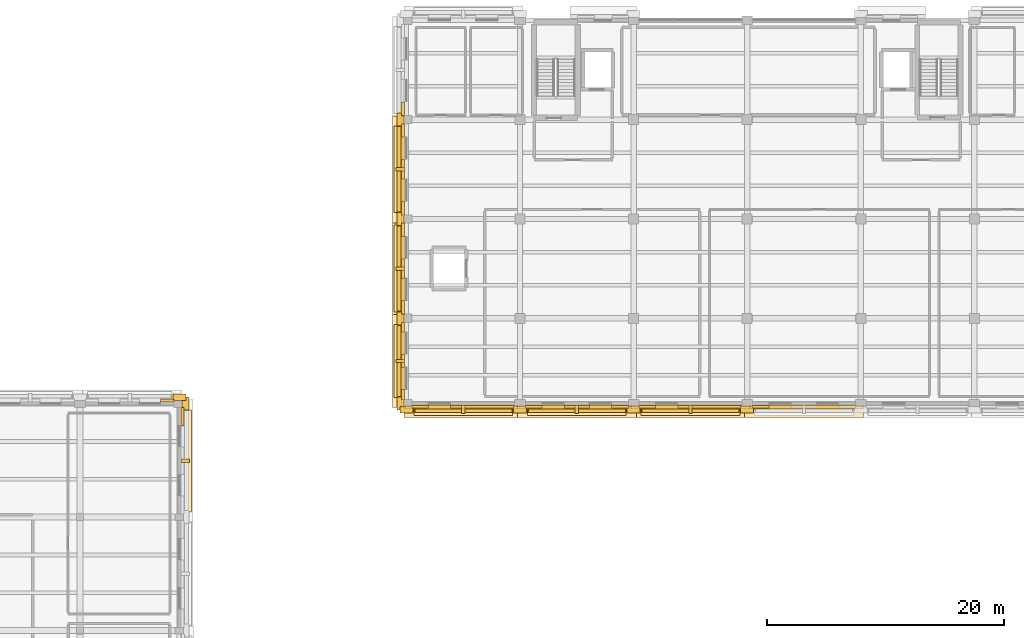
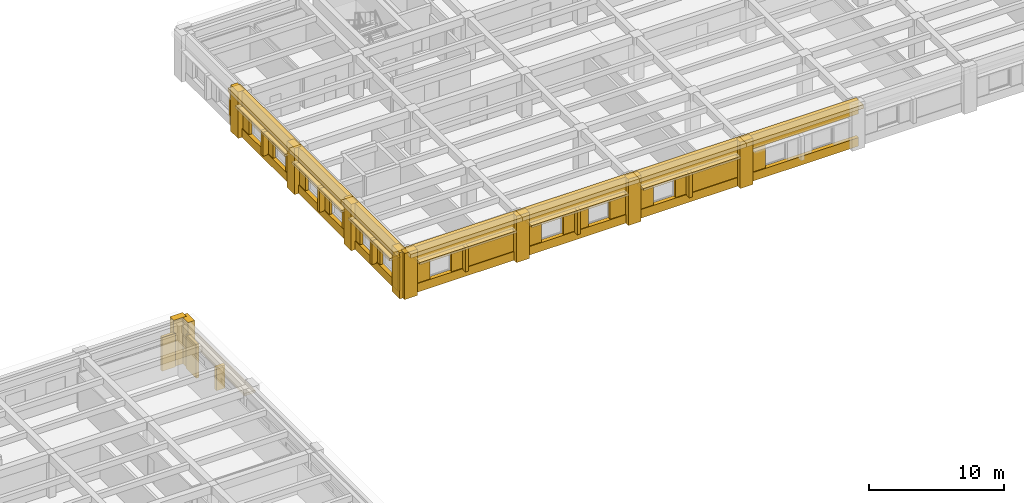
# One storey, part 14 of 17: 65 coverings, 6 shading devices.
"""IFC4 building model written with IfcOpenShell, lengths in metres."""

from ifc_helpers import new_model, si_unit, direction, frame, origin, origin_2d, place, context, subcontext, project, spatial, rectangle, extrude, material, layer, layer_set, type_object, element, save


model = new_model("IFC4")

# Units and contexts
model_context = context("Model", 3, precision=1e-05, world=origin(), true_north=direction((0.0, 1.0)))
body_context = subcontext(model_context, "Body", "Model", "MODEL_VIEW")
ifc_project = project(units=[si_unit("LENGTHUNIT", "METRE"), si_unit("AREAUNIT", "SQUARE_METRE"), si_unit("VOLUMEUNIT", "CUBIC_METRE"), si_unit("PLANEANGLEUNIT", "RADIAN"), si_unit("MASSUNIT", "GRAM", prefix="KILO")], contexts=[model_context])

# Site, building, storey
site_placement = place(None, origin())
site = spatial("IfcSite", under=ifc_project, at=site_placement, CompositionType="ELEMENT")
building_placement = place(site_placement, origin())
building = spatial("IfcBuilding", under=site, at=building_placement, Name="Bempovik Park Faculty of Sciences", CompositionType="ELEMENT")
storey_placement = place(building_placement, frame((0.0, 0.0, 22.5)))
storey = spatial("IfcBuildingStorey", under=building, at=storey_placement, Name="L05", CompositionType="ELEMENT", Elevation=22.5)

# Coverings
ifc_material_1 = material(Name="Precast concrete C40/50", Category="concrete")
ifc_layer_1 = layer(ifc_material_1, 0.179931640625)
ifc_layer_set_1 = layer_set([ifc_layer_1], Name="Precast concrete C40/50")
covering_type_1 = type_object("IfcCoveringType", Name="CL-02 Classical Cornice Band 180mm", PredefinedType="CLADDING", material=ifc_layer_set_1)
covering_1_placement = place(storey_placement, frame((41.3701171875, 82.159912109375, 2.81005859375), z_axis=(0.0, 0.0, 1.0), x_axis=(1.0, 0.0, 0.0)))
element("IfcCovering", 1, at=covering_1_placement, inside=storey, type_object=covering_type_1, Name="L05 Classical Stone Solar Window Hood EW-L05-10039", PredefinedType="CLADDING", context=body_context, shape_type="SweptSolid", body=[
    extrude(rectangle(XDim=0.919921875, YDim=8.6259765625, at=origin_2d()), origin(), (0.0, 0.0, 1.0), 0.219970703125),
])
covering_2_placement = place(storey_placement, frame((59.3349609375, 90.60009765625, 3.83984375), z_axis=(0.0, 0.0, 1.0), x_axis=(1.0, 0.0, 0.0)))
element("IfcCovering", 2, at=covering_2_placement, inside=storey, type_object=covering_type_1, Name="L05 Classical Projecting Dentil Cornice EW-L05-10092", PredefinedType="CLADDING", context=body_context, shape_type="SweptSolid", body=[
    extrude(rectangle(XDim=1.050048828125, YDim=7.845947265625, at=origin_2d()), origin(), (0.0, 0.0, 1.0), 0.360107421875),
])
covering_3_placement = place(storey_placement, frame((59.39990234375, 90.60009765625, 2.85986328125), z_axis=(0.0, 0.0, 1.0), x_axis=(1.0, 0.0, 0.0)))
element("IfcCovering", 3, at=covering_3_placement, inside=storey, type_object=covering_type_1, Name="L05 Classical Stone Solar Window Hood EW-L05-10092", PredefinedType="CLADDING", context=body_context, shape_type="SweptSolid", body=[
    extrude(rectangle(XDim=0.919921875, YDim=6.14599609375, at=origin_2d()), origin(), (0.0, 0.0, 1.0), 0.219970703125),
])
covering_4_placement = place(storey_placement, frame((59.3349609375, 98.39990234375, 3.83984375), z_axis=(0.0, 0.0, 1.0), x_axis=(1.0, 0.0, 0.0)))
element("IfcCovering", 4, at=covering_4_placement, inside=storey, type_object=covering_type_1, Name="L05 Classical Projecting Dentil Cornice EW-L05-10106", PredefinedType="CLADDING", context=body_context, shape_type="SweptSolid", body=[
    extrude(rectangle(XDim=1.050048828125, YDim=9.0458984375, at=origin_2d()), origin(), (0.0, 0.0, 1.0), 0.360107421875),
])
covering_5_placement = place(storey_placement, frame((59.39990234375, 98.39990234375, 2.85986328125), z_axis=(0.0, 0.0, 1.0), x_axis=(1.0, 0.0, 0.0)))
element("IfcCovering", 5, at=covering_5_placement, inside=storey, type_object=covering_type_1, Name="L05 Classical Stone Solar Window Hood EW-L05-10106", PredefinedType="CLADDING", context=body_context, shape_type="SweptSolid", body=[
    extrude(rectangle(XDim=0.919921875, YDim=7.345947265625, at=origin_2d()), origin(), (0.0, 0.0, 1.0), 0.219970703125),
])
covering_6_placement = place(storey_placement, frame((59.3349609375, 106.800048828125, 3.83984375), z_axis=(0.0, 0.0, 1.0), x_axis=(1.0, 0.0, 0.0)))
element("IfcCovering", 6, at=covering_6_placement, inside=storey, type_object=covering_type_1, Name="L05 Classical Projecting Dentil Cornice EW-L05-10119", PredefinedType="CLADDING", context=body_context, shape_type="SweptSolid", body=[
    extrude(rectangle(XDim=1.050048828125, YDim=9.0458984375, at=origin_2d()), origin(), (0.0, 0.0, 1.0), 0.360107421875),
])
covering_7_placement = place(storey_placement, frame((59.39990234375, 106.800048828125, 2.85986328125), z_axis=(0.0, 0.0, 1.0), x_axis=(1.0, 0.0, 0.0)))
element("IfcCovering", 7, at=covering_7_placement, inside=storey, type_object=covering_type_1, Name="L05 Classical Stone Solar Window Hood EW-L05-10119", PredefinedType="CLADDING", context=body_context, shape_type="SweptSolid", body=[
    extrude(rectangle(XDim=0.919921875, YDim=7.345947265625, at=origin_2d()), origin(), (0.0, 0.0, 1.0), 0.219970703125),
])
covering_8_placement = place(storey_placement, frame((64.800048828125, 86.364990234375, 3.83984375), z_axis=(0.0, 0.0, 1.0), x_axis=(1.0, 0.0, 0.0)))
element("IfcCovering", 8, at=covering_8_placement, inside=storey, type_object=covering_type_1, Name="L05 Classical Projecting Dentil Cornice EW-L05-10274", PredefinedType="CLADDING", context=body_context, shape_type="SweptSolid", body=[
    extrude(rectangle(XDim=10.0458984375, YDim=1.050048828125, at=origin_2d()), origin(), (0.0, 0.0, 1.0), 0.360107421875),
])
covering_9_placement = place(storey_placement, frame((64.800048828125, 86.429931640625, 2.85986328125), z_axis=(0.0, 0.0, 1.0), x_axis=(1.0, 0.0, 0.0)))
element("IfcCovering", 9, at=covering_9_placement, inside=storey, type_object=covering_type_1, Name="L05 Classical Stone Solar Window Hood EW-L05-10274", PredefinedType="CLADDING", context=body_context, shape_type="SweptSolid", body=[
    extrude(rectangle(XDim=8.345947265625, YDim=0.919921875, at=origin_2d()), origin(), (0.0, 0.0, 1.0), 0.219970703125),
])
covering_10_placement = place(storey_placement, frame((74.39990234375, 86.364990234375, 3.83984375), z_axis=(0.0, 0.0, 1.0), x_axis=(1.0, 0.0, 0.0)))
element("IfcCovering", 10, at=covering_10_placement, inside=storey, type_object=covering_type_1, Name="L05 Classical Projecting Dentil Cornice EW-L05-10286", PredefinedType="CLADDING", context=body_context, shape_type="SweptSolid", body=[
    extrude(rectangle(XDim=10.0458984375, YDim=1.050048828125, at=origin_2d()), origin(), (0.0, 0.0, 1.0), 0.360107421875),
])
covering_11_placement = place(storey_placement, frame((74.39990234375, 86.429931640625, 2.85986328125), z_axis=(0.0, 0.0, 1.0), x_axis=(1.0, 0.0, 0.0)))
element("IfcCovering", 11, at=covering_11_placement, inside=storey, type_object=covering_type_1, Name="L05 Classical Stone Solar Window Hood EW-L05-10286", PredefinedType="CLADDING", context=body_context, shape_type="SweptSolid", body=[
    extrude(rectangle(XDim=8.345947265625, YDim=0.919921875, at=origin_2d()), origin(), (0.0, 0.0, 1.0), 0.219970703125),
])
covering_12_placement = place(storey_placement, frame((84.0, 86.364990234375, 3.83984375), z_axis=(0.0, 0.0, 1.0), x_axis=(1.0, 0.0, 0.0)))
element("IfcCovering", 12, at=covering_12_placement, inside=storey, type_object=covering_type_1, Name="L05 Classical Projecting Dentil Cornice EW-L05-10299", PredefinedType="CLADDING", context=body_context, shape_type="SweptSolid", body=[
    extrude(rectangle(XDim=10.0458984375, YDim=1.050048828125, at=origin_2d()), origin(), (0.0, 0.0, 1.0), 0.360107421875),
])
covering_13_placement = place(storey_placement, frame((84.0, 86.429931640625, 2.85986328125), z_axis=(0.0, 0.0, 1.0), x_axis=(1.0, 0.0, 0.0)))
element("IfcCovering", 13, at=covering_13_placement, inside=storey, type_object=covering_type_1, Name="L05 Classical Stone Solar Window Hood EW-L05-10299", PredefinedType="CLADDING", context=body_context, shape_type="SweptSolid", body=[
    extrude(rectangle(XDim=8.345947265625, YDim=0.919921875, at=origin_2d()), origin(), (0.0, 0.0, 1.0), 0.219970703125),
])
covering_14_placement = place(storey_placement, frame((93.60009765625, 86.364990234375, 3.83984375), z_axis=(0.0, 0.0, 1.0), x_axis=(1.0, 0.0, 0.0)))
element("IfcCovering", 14, at=covering_14_placement, inside=storey, type_object=covering_type_1, Name="L05 Classical Projecting Dentil Cornice EW-L05-10310", PredefinedType="CLADDING", context=body_context, shape_type="SweptSolid", body=[
    extrude(rectangle(XDim=10.0458984375, YDim=1.050048828125, at=origin_2d()), origin(), (0.0, 0.0, 1.0), 0.360107421875),
])
ifc_material_2 = material(Name="White reconstituted limestone precast C40/50", Category="masonry")
ifc_layer_2 = layer(ifc_material_2, 0.239990234375)
ifc_layer_set_2 = layer_set([ifc_layer_2], Name="White reconstituted limestone precast C40/50")
covering_type_2 = type_object("IfcCoveringType", Name="CL-03 Classical Fluted Limestone Pilaster 240mm", PredefinedType="CLADDING", material=ifc_layer_set_2)
covering_15_placement = place(storey_placement, frame((40.800048828125, 87.530029296875, 0.0), z_axis=(0.0, 0.0, 1.0), x_axis=(1.0, 0.0, 0.0)))
element("IfcCovering", 15, at=covering_15_placement, inside=storey, type_object=covering_type_2, Name="L05 Classical Fluted Stone Pilaster PIL-BA-L05-408-875", PredefinedType="CLADDING", context=body_context, shape_type="SweptSolid", body=[
    extrude(rectangle(XDim=1.10009765625, YDim=0.580078125, at=origin_2d()), origin(), (0.0, 0.0, 1.0), 4.199951171875),
])
covering_16_placement = place(storey_placement, frame((39.781005859375, 87.27001953125, 0.0), z_axis=(0.0, 0.0, 1.0), x_axis=(1.0, 0.0, 0.0)))
element("IfcCovering", 16, at=covering_16_placement, inside=storey, type_object=covering_type_2, Name="L05 White Limestone Wall Cheek EW-L05-9986-4", PredefinedType="CLADDING", context=body_context, shape_type="SweptSolid", body=[
    extrude(rectangle(XDim=1.1337890625, YDim=0.239990234375, at=origin_2d()), origin(), (0.0, 0.0, 1.0), 3.080078125),
])
covering_17_placement = place(storey_placement, frame((41.330078125, 87.0, 0.0), z_axis=(0.0, 0.0, 1.0), x_axis=(1.0, 0.0, 0.0)))
element("IfcCovering", 17, at=covering_17_placement, inside=storey, type_object=covering_type_2, Name="L05 Classical Fluted Stone Pilaster PIL-BA-L05-413-870", PredefinedType="CLADDING", context=body_context, shape_type="SweptSolid", body=[
    extrude(rectangle(XDim=0.580078125, YDim=1.10009765625, at=origin_2d()), origin(), (0.0, 0.0, 1.0), 4.199951171875),
])
covering_18_placement = place(storey_placement, frame((41.070068359375, 85.881103515625, 0.0), z_axis=(0.0, 0.0, 1.0), x_axis=(1.0, 0.0, 0.0)))
element("IfcCovering", 18, at=covering_18_placement, inside=storey, type_object=covering_type_2, Name="L05 White Limestone Wall Cheek EW-L05-10039-4", PredefinedType="CLADDING", context=body_context, shape_type="SweptSolid", body=[
    extrude(rectangle(XDim=0.239990234375, YDim=1.533447265625, at=origin_2d()), origin(), (0.0, 0.0, 1.0), 3.080078125),
])
covering_19_placement = place(storey_placement, frame((41.280029296875, 82.159912109375, 0.75), z_axis=(0.0, 0.0, 1.0), x_axis=(1.0, 0.0, 0.0)))
element("IfcCovering", 19, at=covering_19_placement, inside=storey, type_object=covering_type_2, Name="L05 Classical Vertical Stone Shading Fin EW-L05-10039", PredefinedType="CLADDING", context=body_context, shape_type="SweptSolid", body=[
    extrude(rectangle(XDim=0.719970703125, YDim=0.280029296875, at=origin_2d()), origin(), (0.0, 0.0, 1.0), 2.10009765625),
])
covering_20_placement = place(storey_placement, frame((59.68994140625, 90.60009765625, 2.919921875), z_axis=(0.0, 0.0, 1.0), x_axis=(1.0, 0.0, 0.0)))
element("IfcCovering", 20, at=covering_20_placement, inside=storey, type_object=covering_type_2, Name="L05 Classical Limestone Spandrel Entablature EW-L05-10092", PredefinedType="CLADDING", context=body_context, shape_type="SweptSolid", body=[
    extrude(rectangle(XDim=0.340087890625, YDim=7.845947265625, at=origin_2d()), origin(), (0.0, 0.0, 1.0), 1.280029296875),
])
covering_21_placement = place(storey_placement, frame((59.68994140625, 90.60009765625, 0.0), z_axis=(0.0, 0.0, 1.0), x_axis=(1.0, 0.0, 0.0)))
element("IfcCovering", 21, at=covering_21_placement, inside=storey, type_object=covering_type_2, Name="L05 Classical Limestone Sill Dado EW-L05-10092", PredefinedType="CLADDING", context=body_context, shape_type="SweptSolid", body=[
    extrude(rectangle(XDim=0.340087890625, YDim=7.845947265625, at=origin_2d()), origin(), (0.0, 0.0, 1.0), 0.780029296875),
])
for number, where, z_axis, x_axis, name in (
    (22, (59.469970703125, 87.0, 0.0), (0.0, 0.0, 1.0), (1.0, 0.0, 0.0), "L05 Classical Fluted Stone Pilaster PIL-BA-L05-595-870"),
    (23, (59.469970703125, 94.199951171875, 0.0), (0.0, 0.0, 1.0), (1.0, 0.0, 0.0), "L05 Classical Fluted Stone Pilaster PIL-BA-L05-595-942"),
):
    element("IfcCovering", number, at=place(storey_placement, frame(where, z_axis=z_axis, x_axis=x_axis)), inside=storey, type_object=covering_type_2, Name=name, PredefinedType="CLADDING", context=body_context, shape_type="SweptSolid", body=[
        extrude(rectangle(XDim=0.580078125, YDim=1.10009765625, at=origin_2d()), origin(), (0.0, 0.0, 1.0), 4.199951171875),
    ])
covering_22_placement = place(storey_placement, frame((59.699951171875, 87.7587890625, 0.0), z_axis=(0.0, 0.0, 1.0), x_axis=(1.0, 0.0, 0.0)))
element("IfcCovering", 24, at=covering_22_placement, inside=storey, type_object=covering_type_2, Name="L05 White Limestone Wall Cheek EW-L05-10092-0", PredefinedType="CLADDING", context=body_context, shape_type="SweptSolid", body=[
    extrude(rectangle(XDim=0.239990234375, YDim=0.81396484375, at=origin_2d()), origin(), (0.0, 0.0, 1.0), 3.080078125),
])
covering_23_placement = place(storey_placement, frame((59.699951171875, 90.60009765625, 0.0), z_axis=(0.0, 0.0, 1.0), x_axis=(1.0, 0.0, 0.0)))
element("IfcCovering", 25, at=covering_23_placement, inside=storey, type_object=covering_type_2, Name="L05 White Limestone Wall Cheek EW-L05-10092-2", PredefinedType="CLADDING", context=body_context, shape_type="SweptSolid", body=[
    extrude(rectangle(XDim=0.239990234375, YDim=1.108154296875, at=origin_2d()), origin(), (0.0, 0.0, 1.0), 3.080078125),
])
covering_24_placement = place(storey_placement, frame((59.699951171875, 93.441162109375, 0.0), z_axis=(0.0, 0.0, 1.0), x_axis=(1.0, 0.0, 0.0)))
element("IfcCovering", 26, at=covering_24_placement, inside=storey, type_object=covering_type_2, Name="L05 White Limestone Wall Cheek EW-L05-10092-4", PredefinedType="CLADDING", context=body_context, shape_type="SweptSolid", body=[
    extrude(rectangle(XDim=0.239990234375, YDim=0.81396484375, at=origin_2d()), origin(), (0.0, 0.0, 1.0), 3.080078125),
])
covering_25_placement = place(storey_placement, frame((59.489990234375, 90.60009765625, 0.7001953125), z_axis=(0.0, 0.0, 1.0), x_axis=(1.0, 0.0, 0.0)))
element("IfcCovering", 27, at=covering_25_placement, inside=storey, type_object=covering_type_2, Name="L05 Classical Vertical Stone Shading Fin EW-L05-10092", PredefinedType="CLADDING", context=body_context, shape_type="SweptSolid", body=[
    extrude(rectangle(XDim=0.719970703125, YDim=0.280029296875, at=origin_2d()), origin(), (0.0, 0.0, 1.0), 2.199951171875),
])
covering_26_placement = place(storey_placement, frame((59.68994140625, 98.39990234375, 2.919921875), z_axis=(0.0, 0.0, 1.0), x_axis=(1.0, 0.0, 0.0)))
element("IfcCovering", 28, at=covering_26_placement, inside=storey, type_object=covering_type_2, Name="L05 Classical Limestone Spandrel Entablature EW-L05-10106", PredefinedType="CLADDING", context=body_context, shape_type="SweptSolid", body=[
    extrude(rectangle(XDim=0.340087890625, YDim=9.0458984375, at=origin_2d()), origin(), (0.0, 0.0, 1.0), 1.280029296875),
])
covering_27_placement = place(storey_placement, frame((59.68994140625, 98.39990234375, 0.0), z_axis=(0.0, 0.0, 1.0), x_axis=(1.0, 0.0, 0.0)))
element("IfcCovering", 29, at=covering_27_placement, inside=storey, type_object=covering_type_2, Name="L05 Classical Limestone Sill Dado EW-L05-10106", PredefinedType="CLADDING", context=body_context, shape_type="SweptSolid", body=[
    extrude(rectangle(XDim=0.340087890625, YDim=9.0458984375, at=origin_2d()), origin(), (0.0, 0.0, 1.0), 0.780029296875),
])
covering_28_placement = place(storey_placement, frame((59.469970703125, 102.60009765625, 0.0), z_axis=(0.0, 0.0, 1.0), x_axis=(1.0, 0.0, 0.0)))
element("IfcCovering", 30, at=covering_28_placement, inside=storey, type_object=covering_type_2, Name="L05 Classical Fluted Stone Pilaster PIL-BA-L05-595-1026", PredefinedType="CLADDING", context=body_context, shape_type="SweptSolid", body=[
    extrude(rectangle(XDim=0.580078125, YDim=1.10009765625, at=origin_2d()), origin(), (0.0, 0.0, 1.0), 4.199951171875),
])
covering_29_placement = place(storey_placement, frame((59.699951171875, 95.12109375, 0.0), z_axis=(0.0, 0.0, 1.0), x_axis=(1.0, 0.0, 0.0)))
element("IfcCovering", 31, at=covering_29_placement, inside=storey, type_object=covering_type_2, Name="L05 White Limestone Wall Cheek EW-L05-10106-0", PredefinedType="CLADDING", context=body_context, shape_type="SweptSolid", body=[
    extrude(rectangle(XDim=0.239990234375, YDim=1.137939453125, at=origin_2d()), origin(), (0.0, 0.0, 1.0), 3.080078125),
])
covering_30_placement = place(storey_placement, frame((59.699951171875, 98.39990234375, 0.0), z_axis=(0.0, 0.0, 1.0), x_axis=(1.0, 0.0, 0.0)))
element("IfcCovering", 32, at=covering_30_placement, inside=storey, type_object=covering_type_2, Name="L05 White Limestone Wall Cheek EW-L05-10106-2", PredefinedType="CLADDING", context=body_context, shape_type="SweptSolid", body=[
    extrude(rectangle(XDim=0.239990234375, YDim=1.66015625, at=origin_2d()), origin(), (0.0, 0.0, 1.0), 3.080078125),
])
covering_31_placement = place(storey_placement, frame((59.699951171875, 101.67919921875, 0.0), z_axis=(0.0, 0.0, 1.0), x_axis=(1.0, 0.0, 0.0)))
element("IfcCovering", 33, at=covering_31_placement, inside=storey, type_object=covering_type_2, Name="L05 White Limestone Wall Cheek EW-L05-10106-4", PredefinedType="CLADDING", context=body_context, shape_type="SweptSolid", body=[
    extrude(rectangle(XDim=0.239990234375, YDim=1.137939453125, at=origin_2d()), origin(), (0.0, 0.0, 1.0), 3.080078125),
])
covering_32_placement = place(storey_placement, frame((59.489990234375, 98.39990234375, 0.7001953125), z_axis=(0.0, 0.0, 1.0), x_axis=(1.0, 0.0, 0.0)))
element("IfcCovering", 34, at=covering_32_placement, inside=storey, type_object=covering_type_2, Name="L05 Classical Vertical Stone Shading Fin EW-L05-10106", PredefinedType="CLADDING", context=body_context, shape_type="SweptSolid", body=[
    extrude(rectangle(XDim=0.719970703125, YDim=0.280029296875, at=origin_2d()), origin(), (0.0, 0.0, 1.0), 2.199951171875),
])
covering_33_placement = place(storey_placement, frame((59.68994140625, 106.800048828125, 2.919921875), z_axis=(0.0, 0.0, 1.0), x_axis=(1.0, 0.0, 0.0)))
element("IfcCovering", 35, at=covering_33_placement, inside=storey, type_object=covering_type_2, Name="L05 Classical Limestone Spandrel Entablature EW-L05-10119", PredefinedType="CLADDING", context=body_context, shape_type="SweptSolid", body=[
    extrude(rectangle(XDim=0.340087890625, YDim=9.0458984375, at=origin_2d()), origin(), (0.0, 0.0, 1.0), 1.280029296875),
])
covering_34_placement = place(storey_placement, frame((59.68994140625, 106.800048828125, 0.0), z_axis=(0.0, 0.0, 1.0), x_axis=(1.0, 0.0, 0.0)))
element("IfcCovering", 36, at=covering_34_placement, inside=storey, type_object=covering_type_2, Name="L05 Classical Limestone Sill Dado EW-L05-10119", PredefinedType="CLADDING", context=body_context, shape_type="SweptSolid", body=[
    extrude(rectangle(XDim=0.340087890625, YDim=9.0458984375, at=origin_2d()), origin(), (0.0, 0.0, 1.0), 0.780029296875),
])
covering_35_placement = place(storey_placement, frame((59.469970703125, 111.0, 0.0), z_axis=(0.0, 0.0, 1.0), x_axis=(1.0, 0.0, 0.0)))
element("IfcCovering", 37, at=covering_35_placement, inside=storey, type_object=covering_type_2, Name="L05 Classical Fluted Stone Pilaster PIL-BA-L05-595-1110", PredefinedType="CLADDING", context=body_context, shape_type="SweptSolid", body=[
    extrude(rectangle(XDim=0.580078125, YDim=1.10009765625, at=origin_2d()), origin(), (0.0, 0.0, 1.0), 4.199951171875),
])
covering_36_placement = place(storey_placement, frame((59.699951171875, 103.52099609375, 0.0), z_axis=(0.0, 0.0, 1.0), x_axis=(1.0, 0.0, 0.0)))
element("IfcCovering", 38, at=covering_36_placement, inside=storey, type_object=covering_type_2, Name="L05 White Limestone Wall Cheek EW-L05-10119-0", PredefinedType="CLADDING", context=body_context, shape_type="SweptSolid", body=[
    extrude(rectangle(XDim=0.239990234375, YDim=1.137939453125, at=origin_2d()), origin(), (0.0, 0.0, 1.0), 3.080078125),
])
covering_37_placement = place(storey_placement, frame((59.699951171875, 106.800048828125, 0.0), z_axis=(0.0, 0.0, 1.0), x_axis=(1.0, 0.0, 0.0)))
element("IfcCovering", 39, at=covering_37_placement, inside=storey, type_object=covering_type_2, Name="L05 White Limestone Wall Cheek EW-L05-10119-2", PredefinedType="CLADDING", context=body_context, shape_type="SweptSolid", body=[
    extrude(rectangle(XDim=0.239990234375, YDim=1.66015625, at=origin_2d()), origin(), (0.0, 0.0, 1.0), 3.080078125),
])
covering_38_placement = place(storey_placement, frame((59.699951171875, 110.0791015625, 0.0), z_axis=(0.0, 0.0, 1.0), x_axis=(1.0, 0.0, 0.0)))
element("IfcCovering", 40, at=covering_38_placement, inside=storey, type_object=covering_type_2, Name="L05 White Limestone Wall Cheek EW-L05-10119-4", PredefinedType="CLADDING", context=body_context, shape_type="SweptSolid", body=[
    extrude(rectangle(XDim=0.239990234375, YDim=1.137939453125, at=origin_2d()), origin(), (0.0, 0.0, 1.0), 3.080078125),
])
covering_39_placement = place(storey_placement, frame((59.489990234375, 106.800048828125, 0.7001953125), z_axis=(0.0, 0.0, 1.0), x_axis=(1.0, 0.0, 0.0)))
element("IfcCovering", 41, at=covering_39_placement, inside=storey, type_object=covering_type_2, Name="L05 Classical Vertical Stone Shading Fin EW-L05-10119", PredefinedType="CLADDING", context=body_context, shape_type="SweptSolid", body=[
    extrude(rectangle(XDim=0.719970703125, YDim=0.280029296875, at=origin_2d()), origin(), (0.0, 0.0, 1.0), 2.199951171875),
])
covering_40_placement = place(storey_placement, frame((59.699951171875, 111.9208984375, 0.0), z_axis=(0.0, 0.0, 1.0), x_axis=(1.0, 0.0, 0.0)))
element("IfcCovering", 42, at=covering_40_placement, inside=storey, type_object=covering_type_2, Name="L05 White Limestone Wall Cheek EW-L05-10132-0", PredefinedType="CLADDING", context=body_context, shape_type="SweptSolid", body=[
    extrude(rectangle(XDim=0.239990234375, YDim=1.137939453125, at=origin_2d()), origin(), (0.0, 0.0, 1.0), 3.080078125),
])
covering_41_placement = place(storey_placement, frame((64.800048828125, 86.719970703125, 2.919921875), z_axis=(0.0, 0.0, 1.0), x_axis=(1.0, 0.0, 0.0)))
element("IfcCovering", 43, at=covering_41_placement, inside=storey, type_object=covering_type_2, Name="L05 Classical Limestone Spandrel Entablature EW-L05-10274", PredefinedType="CLADDING", context=body_context, shape_type="SweptSolid", body=[
    extrude(rectangle(XDim=10.0458984375, YDim=0.340087890625, at=origin_2d()), origin(), (0.0, 0.0, 1.0), 1.280029296875),
])
covering_42_placement = place(storey_placement, frame((64.800048828125, 86.719970703125, 0.0), z_axis=(0.0, 0.0, 1.0), x_axis=(1.0, 0.0, 0.0)))
element("IfcCovering", 44, at=covering_42_placement, inside=storey, type_object=covering_type_2, Name="L05 Classical Limestone Sill Dado EW-L05-10274", PredefinedType="CLADDING", context=body_context, shape_type="SweptSolid", body=[
    extrude(rectangle(XDim=10.0458984375, YDim=0.340087890625, at=origin_2d()), origin(), (0.0, 0.0, 1.0), 0.780029296875),
])
for number, where, z_axis, x_axis, name in (
    (45, (60.0, 86.469970703125, 0.0), (0.0, 0.0, 1.0), (1.0, 0.0, 0.0), "L05 Classical Fluted Stone Pilaster PIL-BA-L05-600-865"),
    (46, (69.60009765625, 86.469970703125, 0.0), (0.0, 0.0, 1.0), (1.0, 0.0, 0.0), "L05 Classical Fluted Stone Pilaster PIL-BA-L05-696-865"),
):
    element("IfcCovering", number, at=place(storey_placement, frame(where, z_axis=z_axis, x_axis=x_axis)), inside=storey, type_object=covering_type_2, Name=name, PredefinedType="CLADDING", context=body_context, shape_type="SweptSolid", body=[
        extrude(rectangle(XDim=1.10009765625, YDim=0.580078125, at=origin_2d()), origin(), (0.0, 0.0, 1.0), 4.199951171875),
    ])
covering_43_placement = place(storey_placement, frame((61.156005859375, 86.72998046875, 0.0), z_axis=(0.0, 0.0, 1.0), x_axis=(1.0, 0.0, 0.0)))
element("IfcCovering", 47, at=covering_43_placement, inside=storey, type_object=covering_type_2, Name="L05 White Limestone Wall Cheek EW-L05-10274-0", PredefinedType="CLADDING", context=body_context, shape_type="SweptSolid", body=[
    extrude(rectangle(XDim=1.407958984375, YDim=0.239990234375, at=origin_2d()), origin(), (0.0, 0.0, 1.0), 3.080078125),
])
covering_44_placement = place(storey_placement, frame((66.444091796875, 86.72998046875, 0.0), z_axis=(0.0, 0.0, 1.0), x_axis=(1.0, 0.0, 0.0)))
element("IfcCovering", 48, at=covering_44_placement, inside=storey, type_object=covering_type_2, Name="L05 White Limestone Wall Cheek EW-L05-10274-2", PredefinedType="CLADDING", context=body_context, shape_type="SweptSolid", body=[
    extrude(rectangle(XDim=5.408203125, YDim=0.239990234375, at=origin_2d()), origin(), (0.0, 0.0, 1.0), 3.080078125),
])
covering_45_placement = place(storey_placement, frame((64.800048828125, 86.52001953125, 0.7001953125), z_axis=(0.0, 0.0, 1.0), x_axis=(1.0, 0.0, 0.0)))
element("IfcCovering", 49, at=covering_45_placement, inside=storey, type_object=covering_type_2, Name="L05 Classical Vertical Stone Shading Fin EW-L05-10274", PredefinedType="CLADDING", context=body_context, shape_type="SweptSolid", body=[
    extrude(rectangle(XDim=0.280029296875, YDim=0.719970703125, at=origin_2d()), origin(), (0.0, 0.0, 1.0), 2.199951171875),
])
covering_46_placement = place(storey_placement, frame((74.39990234375, 86.719970703125, 2.919921875), z_axis=(0.0, 0.0, 1.0), x_axis=(1.0, 0.0, 0.0)))
element("IfcCovering", 50, at=covering_46_placement, inside=storey, type_object=covering_type_2, Name="L05 Classical Limestone Spandrel Entablature EW-L05-10286", PredefinedType="CLADDING", context=body_context, shape_type="SweptSolid", body=[
    extrude(rectangle(XDim=10.0458984375, YDim=0.340087890625, at=origin_2d()), origin(), (0.0, 0.0, 1.0), 1.280029296875),
])
covering_47_placement = place(storey_placement, frame((74.39990234375, 86.719970703125, 0.0), z_axis=(0.0, 0.0, 1.0), x_axis=(1.0, 0.0, 0.0)))
element("IfcCovering", 51, at=covering_47_placement, inside=storey, type_object=covering_type_2, Name="L05 Classical Limestone Sill Dado EW-L05-10286", PredefinedType="CLADDING", context=body_context, shape_type="SweptSolid", body=[
    extrude(rectangle(XDim=10.0458984375, YDim=0.340087890625, at=origin_2d()), origin(), (0.0, 0.0, 1.0), 0.780029296875),
])
covering_48_placement = place(storey_placement, frame((79.199951171875, 86.469970703125, 0.0), z_axis=(0.0, 0.0, 1.0), x_axis=(1.0, 0.0, 0.0)))
element("IfcCovering", 52, at=covering_48_placement, inside=storey, type_object=covering_type_2, Name="L05 Classical Fluted Stone Pilaster PIL-BA-L05-792-865", PredefinedType="CLADDING", context=body_context, shape_type="SweptSolid", body=[
    extrude(rectangle(XDim=1.10009765625, YDim=0.580078125, at=origin_2d()), origin(), (0.0, 0.0, 1.0), 4.199951171875),
])
covering_49_placement = place(storey_placement, frame((70.756103515625, 86.72998046875, 0.0), z_axis=(0.0, 0.0, 1.0), x_axis=(1.0, 0.0, 0.0)))
element("IfcCovering", 53, at=covering_49_placement, inside=storey, type_object=covering_type_2, Name="L05 White Limestone Wall Cheek EW-L05-10286-0", PredefinedType="CLADDING", context=body_context, shape_type="SweptSolid", body=[
    extrude(rectangle(XDim=1.407958984375, YDim=0.239990234375, at=origin_2d()), origin(), (0.0, 0.0, 1.0), 3.080078125),
])
covering_50_placement = place(storey_placement, frame((74.39990234375, 86.72998046875, 0.0), z_axis=(0.0, 0.0, 1.0), x_axis=(1.0, 0.0, 0.0)))
element("IfcCovering", 54, at=covering_50_placement, inside=storey, type_object=covering_type_2, Name="L05 White Limestone Wall Cheek EW-L05-10286-2", PredefinedType="CLADDING", context=body_context, shape_type="SweptSolid", body=[
    extrude(rectangle(XDim=2.1201171875, YDim=0.239990234375, at=origin_2d()), origin(), (0.0, 0.0, 1.0), 3.080078125),
])
covering_51_placement = place(storey_placement, frame((78.044189453125, 86.72998046875, 0.0), z_axis=(0.0, 0.0, 1.0), x_axis=(1.0, 0.0, 0.0)))
element("IfcCovering", 55, at=covering_51_placement, inside=storey, type_object=covering_type_2, Name="L05 White Limestone Wall Cheek EW-L05-10286-4", PredefinedType="CLADDING", context=body_context, shape_type="SweptSolid", body=[
    extrude(rectangle(XDim=1.407958984375, YDim=0.239990234375, at=origin_2d()), origin(), (0.0, 0.0, 1.0), 3.080078125),
])
covering_52_placement = place(storey_placement, frame((74.39990234375, 86.52001953125, 0.7001953125), z_axis=(0.0, 0.0, 1.0), x_axis=(1.0, 0.0, 0.0)))
element("IfcCovering", 56, at=covering_52_placement, inside=storey, type_object=covering_type_2, Name="L05 Classical Vertical Stone Shading Fin EW-L05-10286", PredefinedType="CLADDING", context=body_context, shape_type="SweptSolid", body=[
    extrude(rectangle(XDim=0.280029296875, YDim=0.719970703125, at=origin_2d()), origin(), (0.0, 0.0, 1.0), 2.199951171875),
])
covering_53_placement = place(storey_placement, frame((84.0, 86.719970703125, 2.919921875), z_axis=(0.0, 0.0, 1.0), x_axis=(1.0, 0.0, 0.0)))
element("IfcCovering", 57, at=covering_53_placement, inside=storey, type_object=covering_type_2, Name="L05 Classical Limestone Spandrel Entablature EW-L05-10299", PredefinedType="CLADDING", context=body_context, shape_type="SweptSolid", body=[
    extrude(rectangle(XDim=10.0458984375, YDim=0.340087890625, at=origin_2d()), origin(), (0.0, 0.0, 1.0), 1.280029296875),
])
covering_54_placement = place(storey_placement, frame((84.0, 86.719970703125, 0.0), z_axis=(0.0, 0.0, 1.0), x_axis=(1.0, 0.0, 0.0)))
element("IfcCovering", 58, at=covering_54_placement, inside=storey, type_object=covering_type_2, Name="L05 Classical Limestone Sill Dado EW-L05-10299", PredefinedType="CLADDING", context=body_context, shape_type="SweptSolid", body=[
    extrude(rectangle(XDim=10.0458984375, YDim=0.340087890625, at=origin_2d()), origin(), (0.0, 0.0, 1.0), 0.780029296875),
])
covering_55_placement = place(storey_placement, frame((88.800048828125, 86.469970703125, 0.0), z_axis=(0.0, 0.0, 1.0), x_axis=(1.0, 0.0, 0.0)))
element("IfcCovering", 59, at=covering_55_placement, inside=storey, type_object=covering_type_2, Name="L05 Classical Fluted Stone Pilaster PIL-BA-L05-888-865", PredefinedType="CLADDING", context=body_context, shape_type="SweptSolid", body=[
    extrude(rectangle(XDim=1.10009765625, YDim=0.580078125, at=origin_2d()), origin(), (0.0, 0.0, 1.0), 4.199951171875),
])
covering_56_placement = place(storey_placement, frame((80.35595703125, 86.72998046875, 0.0), z_axis=(0.0, 0.0, 1.0), x_axis=(1.0, 0.0, 0.0)))
element("IfcCovering", 60, at=covering_56_placement, inside=storey, type_object=covering_type_2, Name="L05 White Limestone Wall Cheek EW-L05-10299-0", PredefinedType="CLADDING", context=body_context, shape_type="SweptSolid", body=[
    extrude(rectangle(XDim=1.407958984375, YDim=0.239990234375, at=origin_2d()), origin(), (0.0, 0.0, 1.0), 3.080078125),
])
covering_57_placement = place(storey_placement, frame((85.64404296875, 86.72998046875, 0.0), z_axis=(0.0, 0.0, 1.0), x_axis=(1.0, 0.0, 0.0)))
element("IfcCovering", 61, at=covering_57_placement, inside=storey, type_object=covering_type_2, Name="L05 White Limestone Wall Cheek EW-L05-10299-2", PredefinedType="CLADDING", context=body_context, shape_type="SweptSolid", body=[
    extrude(rectangle(XDim=5.408203125, YDim=0.239990234375, at=origin_2d()), origin(), (0.0, 0.0, 1.0), 3.080078125),
])
covering_58_placement = place(storey_placement, frame((84.0, 86.52001953125, 0.7001953125), z_axis=(0.0, 0.0, 1.0), x_axis=(1.0, 0.0, 0.0)))
element("IfcCovering", 62, at=covering_58_placement, inside=storey, type_object=covering_type_2, Name="L05 Classical Vertical Stone Shading Fin EW-L05-10299", PredefinedType="CLADDING", context=body_context, shape_type="SweptSolid", body=[
    extrude(rectangle(XDim=0.280029296875, YDim=0.719970703125, at=origin_2d()), origin(), (0.0, 0.0, 1.0), 2.199951171875),
])
covering_59_placement = place(storey_placement, frame((93.60009765625, 86.719970703125, 2.919921875), z_axis=(0.0, 0.0, 1.0), x_axis=(1.0, 0.0, 0.0)))
element("IfcCovering", 63, at=covering_59_placement, inside=storey, type_object=covering_type_2, Name="L05 Classical Limestone Spandrel Entablature EW-L05-10310", PredefinedType="CLADDING", context=body_context, shape_type="SweptSolid", body=[
    extrude(rectangle(XDim=10.0458984375, YDim=0.340087890625, at=origin_2d()), origin(), (0.0, 0.0, 1.0), 1.280029296875),
])
covering_60_placement = place(storey_placement, frame((93.60009765625, 86.719970703125, 0.0), z_axis=(0.0, 0.0, 1.0), x_axis=(1.0, 0.0, 0.0)))
element("IfcCovering", 64, at=covering_60_placement, inside=storey, type_object=covering_type_2, Name="L05 Classical Limestone Sill Dado EW-L05-10310", PredefinedType="CLADDING", context=body_context, shape_type="SweptSolid", body=[
    extrude(rectangle(XDim=10.0458984375, YDim=0.340087890625, at=origin_2d()), origin(), (0.0, 0.0, 1.0), 0.780029296875),
])
covering_61_placement = place(storey_placement, frame((89.9560546875, 86.72998046875, 0.0), z_axis=(0.0, 0.0, 1.0), x_axis=(1.0, 0.0, 0.0)))
element("IfcCovering", 65, at=covering_61_placement, inside=storey, type_object=covering_type_2, Name="L05 White Limestone Wall Cheek EW-L05-10310-0", PredefinedType="CLADDING", context=body_context, shape_type="SweptSolid", body=[
    extrude(rectangle(XDim=1.407958984375, YDim=0.239990234375, at=origin_2d()), origin(), (0.0, 0.0, 1.0), 3.080078125),
])

# Shading devices
ifc_material_3 = material(Name="Anodised architectural bronze")
ifc_layer_3 = layer(ifc_material_3, 0.06005859375)
ifc_layer_set_3 = layer_set([ifc_layer_3], Name="Anodised architectural bronze")
shading_device_type = type_object("IfcShadingDeviceType", Name="SH-01 Bronze Brise-Soleil Fin", PredefinedType="USERDEFINED", material=ifc_layer_set_3)
shading_device_placement = place(storey_placement, frame((59.52001953125, 90.60009765625, 2.800048828125), z_axis=(0.0, 0.0, 1.0), x_axis=(1.0, 0.0, 0.0)))
element("IfcShadingDevice", 66, at=shading_device_placement, inside=storey, type_object=shading_device_type, Name="L05 Equatorial Bronze Brise-Soleil EW-L05-10092", ObjectType="BRISE SOLEIL", PredefinedType="USERDEFINED", context=body_context, shape_type="SweptSolid", body=[
    extrude(rectangle(XDim=0.64990234375, YDim=5.99609375, at=origin_2d()), origin(), (0.0, 0.0, 1.0), 0.06005859375),
])
for number, where, z_axis, x_axis, name in (
    (67, (59.52001953125, 98.39990234375, 2.800048828125), (0.0, 0.0, 1.0), (1.0, 0.0, 0.0), "L05 Equatorial Bronze Brise-Soleil EW-L05-10106"),
    (68, (59.52001953125, 106.800048828125, 2.800048828125), (0.0, 0.0, 1.0), (1.0, 0.0, 0.0), "L05 Equatorial Bronze Brise-Soleil EW-L05-10119"),
):
    element("IfcShadingDevice", number, at=place(storey_placement, frame(where, z_axis=z_axis, x_axis=x_axis)), inside=storey, type_object=shading_device_type, Name=name, ObjectType="BRISE SOLEIL", PredefinedType="USERDEFINED", context=body_context, shape_type="SweptSolid", body=[
        extrude(rectangle(XDim=0.64990234375, YDim=7.196044921875, at=origin_2d()), origin(), (0.0, 0.0, 1.0), 0.06005859375),
    ])
for number, where, z_axis, x_axis, name in (
    (69, (64.800048828125, 86.550048828125, 2.800048828125), (0.0, 0.0, 1.0), (1.0, 0.0, 0.0), "L05 Equatorial Bronze Brise-Soleil EW-L05-10274"),
    (70, (74.39990234375, 86.550048828125, 2.800048828125), (0.0, 0.0, 1.0), (1.0, 0.0, 0.0), "L05 Equatorial Bronze Brise-Soleil EW-L05-10286"),
    (71, (84.0, 86.550048828125, 2.800048828125), (0.0, 0.0, 1.0), (1.0, 0.0, 0.0), "L05 Equatorial Bronze Brise-Soleil EW-L05-10299"),
):
    element("IfcShadingDevice", number, at=place(storey_placement, frame(where, z_axis=z_axis, x_axis=x_axis)), inside=storey, type_object=shading_device_type, Name=name, ObjectType="BRISE SOLEIL", PredefinedType="USERDEFINED", context=body_context, shape_type="SweptSolid", body=[
        extrude(rectangle(XDim=8.196044921875, YDim=0.64990234375, at=origin_2d()), origin(), (0.0, 0.0, 1.0), 0.06005859375),
    ])

save(model, "model.ifc")
